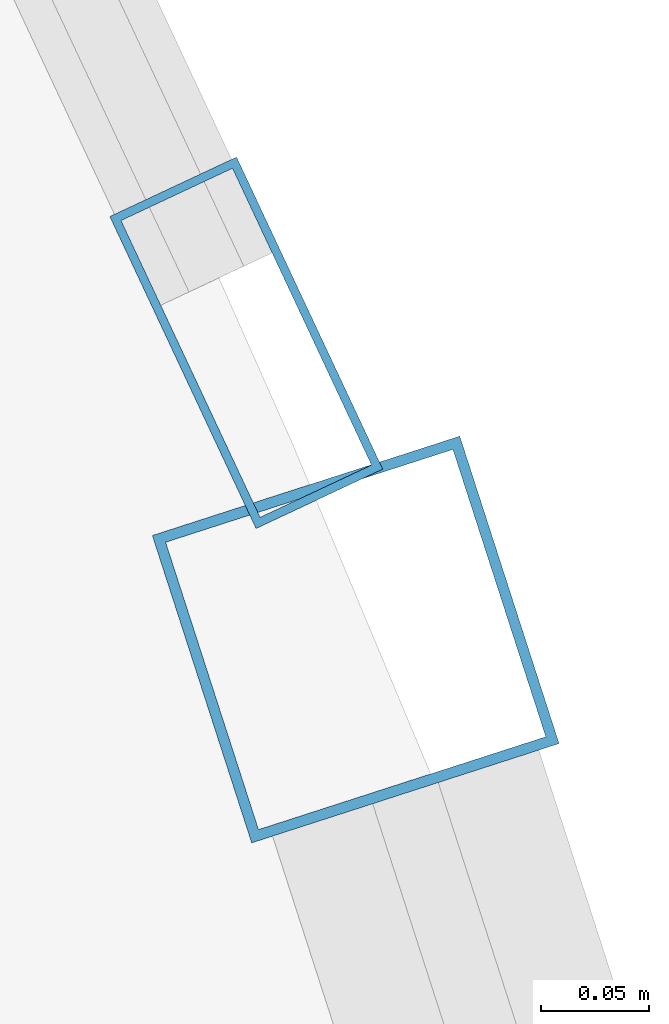
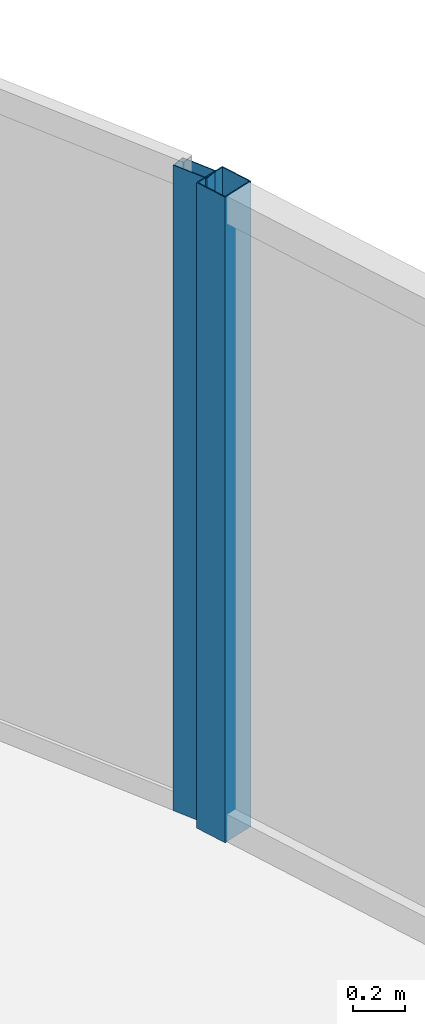
# One storey, part 18 of 33: 2 members, 2 elements without a shape of their own.
"""IFC4 building model written with IfcOpenShell, lengths in metres."""

from ifc_helpers import new_model, si_unit, direction, frame, origin, origin_2d, place, context, subcontext, project, spatial, hollow_rectangle, extrude, material, layer, layer_set, material_profile, profile_set, type_object, element, aggregate, save


model = new_model("IFC4")

# Units and contexts
model_context = context("Model", 3, precision=1e-05, world=origin(), true_north=direction((0.0, 1.0)))
body_context = subcontext(model_context, "Body", "Model", "MODEL_VIEW")
ifc_project = project(units=[si_unit("LENGTHUNIT", "METRE"), si_unit("AREAUNIT", "SQUARE_METRE"), si_unit("VOLUMEUNIT", "CUBIC_METRE"), si_unit("PLANEANGLEUNIT", "RADIAN"), si_unit("MASSUNIT", "GRAM", prefix="KILO")], contexts=[model_context])

# Site, building, storey
site_placement = place(None, origin())
site = spatial("IfcSite", under=ifc_project, at=site_placement, CompositionType="ELEMENT")
building_placement = place(site_placement, origin())
building = spatial("IfcBuilding", under=site, at=building_placement, Name="Orvanel Arch Residences", CompositionType="ELEMENT")
storey_placement = place(building_placement, frame((0.0, 0.0, 206.300048828125)))
storey = spatial("IfcBuildingStorey", under=building, at=storey_placement, Name="L58", CompositionType="ELEMENT", Elevation=206.300048828125)

# Curtain wall, member
ifc_material = material(Name="Bronze-anodised aluminium AA6063-T6", Category="aluminium")
ifc_layer_1 = layer(ifc_material, 0.18994140625)
ifc_layer_set_1 = layer_set([ifc_layer_1], Name="Bronze-anodised aluminium AA6063-T6")
curtain_wall_type_1 = type_object("IfcCurtainWallType", Name="CW5-CRN-SYS", PredefinedType="NOTDEFINED", material=ifc_layer_set_1)
curtain_wall_1_placement = place(storey_placement, origin())
curtain_wall_1 = element("IfcCurtainWall", 1, at=curtain_wall_1_placement, inside=storey, type_object=curtain_wall_type_1, Name="L58 CW5-CRN-SYS Unitised Curtain Wall", PredefinedType="NOTDEFINED")
ifc_material_profile_1 = material_profile(ifc_material, hollow_rectangle(XDim=0.14990234375, YDim=0.14990234375, WallThickness=0.0048828125, at=origin_2d()), Name="ALU150x150x5")
ifc_profile_set_1 = profile_set([ifc_material_profile_1], Name="Bronze-anodised aluminium AA6063-T6")
member_type_1 = type_object("IfcMemberType", Name="MUL-150x150", PredefinedType="MULLION", material=ifc_profile_set_1)
member_1_placement = place(storey_placement, frame((54.301025390625, 15.005615234375, 0.0), z_axis=(0.0, 0.0, 1.0), x_axis=(-0.951553342182, -0.307483718239, 0.0)))
member_1 = element("IfcMember", 2, at=member_1_placement, type_object=member_type_1, Name="CW-S5 mullion 2", PredefinedType="MULLION", context=body_context, shape_type="SweptSolid", body=[
    extrude(hollow_rectangle(XDim=0.14990234375, YDim=0.14990234375, WallThickness=0.0048828125, at=origin_2d()), origin(), (0.0, 0.0, 1.0), 3.06005859375),
])
aggregate(curtain_wall_1, [member_1])

ifc_layer_2 = layer(ifc_material, 0.175048828125)
ifc_layer_set_2 = layer_set([ifc_layer_2], Name="Bronze-anodised aluminium AA6063-T6")
curtain_wall_type_2 = type_object("IfcCurtainWallType", Name="CW4-HI-SYS", PredefinedType="NOTDEFINED", material=ifc_layer_set_2)
curtain_wall_2_placement = place(storey_placement, origin())
curtain_wall_2 = element("IfcCurtainWall", 3, at=curtain_wall_2_placement, inside=storey, type_object=curtain_wall_type_2, Name="L58 CW4-HI-SYS Unitised Curtain Wall", PredefinedType="NOTDEFINED")
ifc_material_profile_2 = material_profile(ifc_material, hollow_rectangle(XDim=0.06494140625, YDim=0.159912109375, WallThickness=0.00390625, at=origin_2d()), Name="ALU160x65x4")
ifc_profile_set_2 = profile_set([ifc_material_profile_2], Name="Bronze-anodised aluminium AA6063-T6")
member_type_2 = type_object("IfcMemberType", Name="MUL-160x65", PredefinedType="MULLION", material=ifc_profile_set_2)
member_2_placement = place(storey_placement, frame((54.250244140625, 15.143310546875, 0.0), z_axis=(0.0, 0.0, 1.0), x_axis=(-0.905502538529, -0.424340844978, 0.0)))
member_2 = element("IfcMember", 4, at=member_2_placement, type_object=member_type_2, Name="CW-S4 mullion 1", PredefinedType="MULLION", context=body_context, shape_type="SweptSolid", body=[
    extrude(hollow_rectangle(XDim=0.06494140625, YDim=0.159912109375, WallThickness=0.00390625, at=origin_2d()), origin(), (0.0, 0.0, 1.0), 3.06005859375),
])
aggregate(curtain_wall_2, [member_2])

save(model, "model.ifc")
